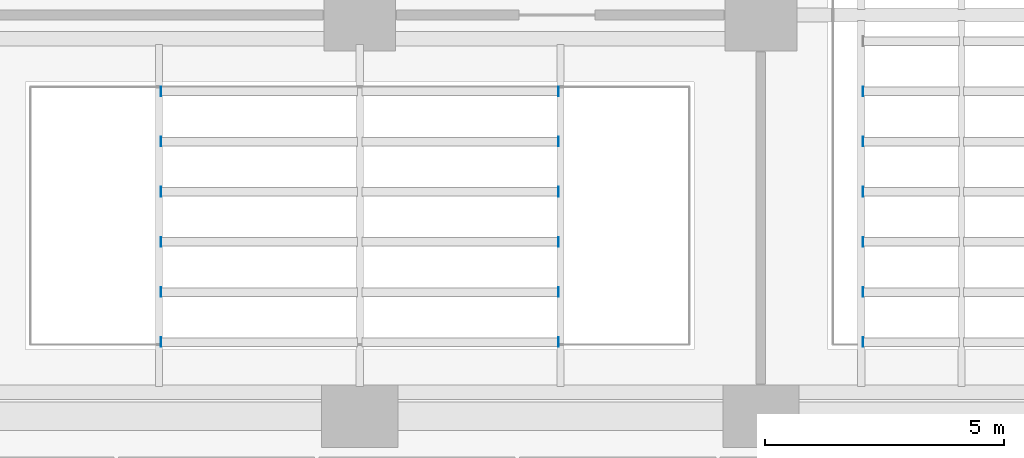
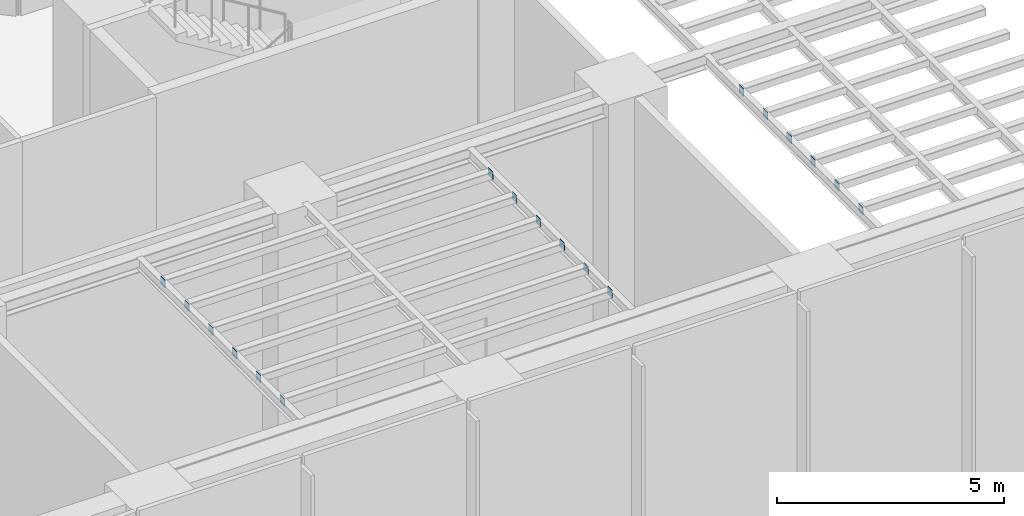
# One storey, part 9 of 22: 18 plates.
"""IFC4 building model written with IfcOpenShell, lengths in metres."""

from ifc_helpers import new_model, si_unit, direction, frame, origin, origin_2d, place, context, subcontext, project, spatial, rectangle, extrude, material, material_profile, profile_set, type_object, element, save


model = new_model("IFC4")

# Units and contexts
model_context = context("Model", 3, precision=1e-05, world=origin(), true_north=direction((0.0, 1.0)))
body_context = subcontext(model_context, "Body", "Model", "MODEL_VIEW")
ifc_project = project(units=[si_unit("LENGTHUNIT", "METRE"), si_unit("AREAUNIT", "SQUARE_METRE"), si_unit("VOLUMEUNIT", "CUBIC_METRE"), si_unit("PLANEANGLEUNIT", "RADIAN"), si_unit("MASSUNIT", "GRAM", prefix="KILO")], contexts=[model_context])

# Site, building, storey
site_placement = place(None, origin())
site = spatial("IfcSite", under=ifc_project, at=site_placement, CompositionType="ELEMENT")
building_placement = place(site_placement, origin())
building = spatial("IfcBuilding", under=site, at=building_placement, Name="Brevane Broadcast Tower", CompositionType="ELEMENT")
storey_placement = place(building_placement, frame((0.0, 0.0, 20.0)))
storey = spatial("IfcBuildingStorey", under=building, at=storey_placement, Name="L03", CompositionType="ELEMENT", Elevation=20.0)

# Plates
ifc_material = material(Name="Steel S355", Category="steel")
ifc_material_profile = material_profile(ifc_material, rectangle(XDim=0.199951171875, YDim=0.199951171875, at=origin_2d()), Name="PL 200x200 x 15")
ifc_profile_set = profile_set([ifc_material_profile], Name="Steel S355")
plate_type = type_object("IfcPlateType", Name="STEEL END CAP PLATE 200x200 x 15", PredefinedType="SHEET", material=ifc_profile_set)
for number, where, z_axis, x_axis, name in (
    (1, (37.830078125, 1.550048828125, 7.14990234375), (1.0, 0.0, 0.0), (0.0, 1.0, 0.0), "End cap plate EC5-60"),
    (2, (46.155029296875, 5.75, 7.14990234375), (1.0, 0.0, 0.0), (0.0, 1.0, 0.0), "End cap plate EC5-61"),
    (3, (37.830078125, 6.800048828125, 7.14990234375), (1.0, 0.0, 0.0), (0.0, 1.0, 0.0), "End cap plate EC5-62"),
    (4, (46.155029296875, 6.800048828125, 7.14990234375), (1.0, 0.0, 0.0), (0.0, 1.0, 0.0), "End cap plate EC5-63"),
    (5, (46.155029296875, 1.550048828125, 7.14990234375), (1.0, 0.0, 0.0), (0.0, 1.0, 0.0), "End cap plate EC5-64"),
    (6, (37.830078125, 2.60009765625, 7.14990234375), (1.0, 0.0, 0.0), (0.0, 1.0, 0.0), "End cap plate EC5-65"),
    (7, (46.155029296875, 2.60009765625, 7.14990234375), (1.0, 0.0, 0.0), (0.0, 1.0, 0.0), "End cap plate EC5-66"),
    (8, (37.830078125, 3.64990234375, 7.14990234375), (1.0, 0.0, 0.0), (0.0, 1.0, 0.0), "End cap plate EC5-67"),
    (9, (46.155029296875, 3.64990234375, 7.14990234375), (1.0, 0.0, 0.0), (0.0, 1.0, 0.0), "End cap plate EC5-68"),
    (10, (37.830078125, 4.699951171875, 7.14990234375), (1.0, 0.0, 0.0), (0.0, 1.0, 0.0), "End cap plate EC5-69"),
    (11, (46.155029296875, 4.699951171875, 7.14990234375), (1.0, 0.0, 0.0), (0.0, 1.0, 0.0), "End cap plate EC5-70"),
    (12, (37.830078125, 5.75, 7.14990234375), (1.0, 0.0, 0.0), (0.0, 1.0, 0.0), "End cap plate EC5-71"),
    (13, (52.530029296875, 1.550048828125, 7.14990234375), (1.0, 0.0, 0.0), (0.0, 1.0, 0.0), "End cap plate EC5-100"),
    (14, (52.530029296875, 2.60009765625, 7.14990234375), (1.0, 0.0, 0.0), (0.0, 1.0, 0.0), "End cap plate EC5-102"),
    (15, (52.530029296875, 3.64990234375, 7.14990234375), (1.0, 0.0, 0.0), (0.0, 1.0, 0.0), "End cap plate EC5-104"),
    (16, (52.530029296875, 4.699951171875, 7.14990234375), (1.0, 0.0, 0.0), (0.0, 1.0, 0.0), "End cap plate EC5-106"),
    (17, (52.530029296875, 5.75, 7.14990234375), (1.0, 0.0, 0.0), (0.0, 1.0, 0.0), "End cap plate EC5-108"),
    (18, (52.530029296875, 6.800048828125, 7.14990234375), (1.0, 0.0, 0.0), (0.0, 1.0, 0.0), "End cap plate EC5-110"),
):
    element("IfcPlate", number, at=place(storey_placement, frame(where, z_axis=z_axis, x_axis=x_axis)), inside=storey, type_object=plate_type, Name=name, PredefinedType="SHEET", context=body_context, shape_type="SweptSolid", body=[
        extrude(rectangle(XDim=0.199951171875, YDim=0.199951171875, at=origin_2d()), origin(), (0.0, 0.0, 1.0), 0.014892578125),
    ])

save(model, "model.ifc")
